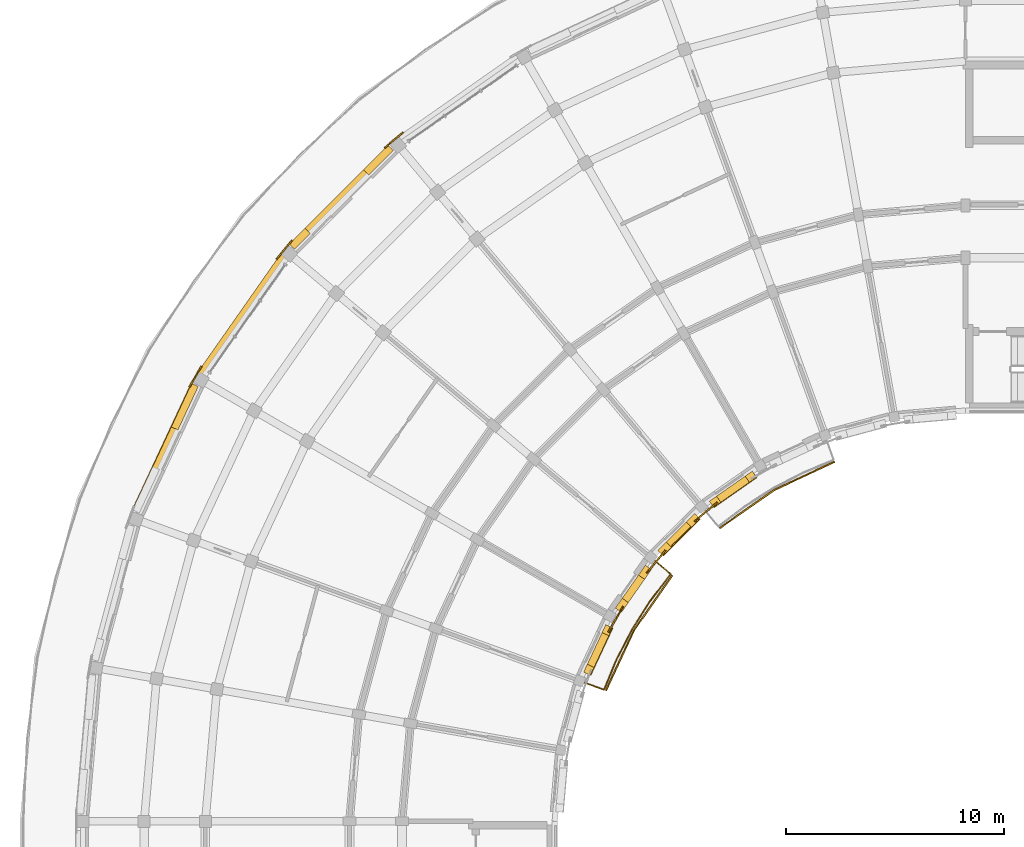
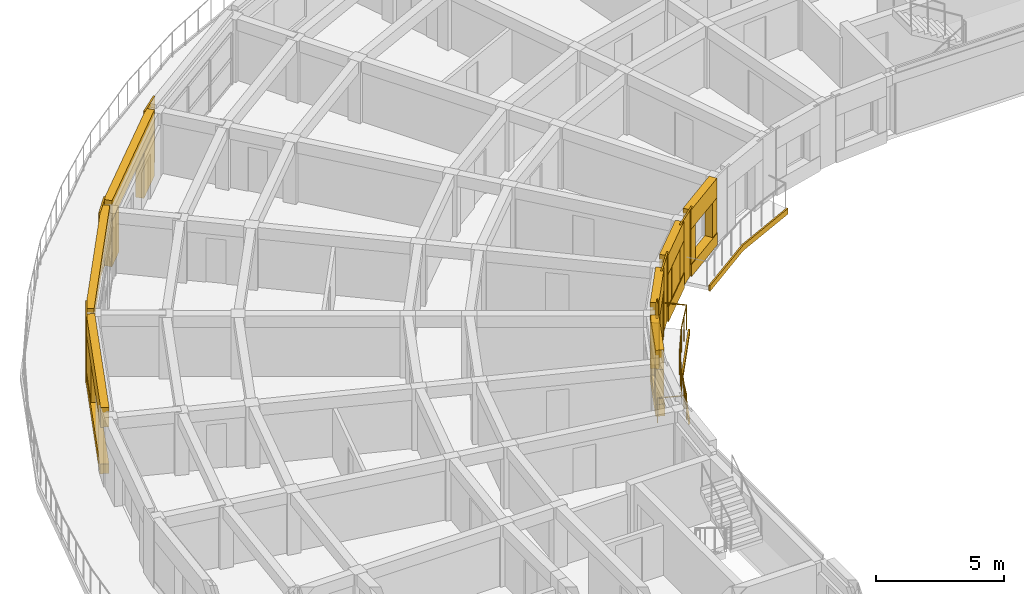
# One storey, part 19 of 23: 30 coverings, 1 railing, 1 shading device.
"""IFC4 building model written with IfcOpenShell, lengths in metres."""

from ifc_helpers import new_model, si_unit, direction, frame, origin, origin_2d, place, context, subcontext, project, spatial, polyline, rectangle, circle, outline, extrude, material, layer, layer_set, type_object, element, save


model = new_model("IFC4")

# Units and contexts
model_context = context("Model", 3, precision=1e-05, world=origin(), true_north=direction((0.0, 1.0)))
body_context = subcontext(model_context, "Body", "Model", "MODEL_VIEW")
ifc_project = project(units=[si_unit("LENGTHUNIT", "METRE"), si_unit("AREAUNIT", "SQUARE_METRE"), si_unit("VOLUMEUNIT", "CUBIC_METRE"), si_unit("PLANEANGLEUNIT", "RADIAN"), si_unit("MASSUNIT", "GRAM", prefix="KILO")], contexts=[model_context])

# Site, building, storey
site_placement = place(None, origin())
site = spatial("IfcSite", under=ifc_project, at=site_placement, CompositionType="ELEMENT")
building_placement = place(site_placement, origin())
building = spatial("IfcBuilding", under=site, at=building_placement, Name="Kiranvali Square Residences", CompositionType="ELEMENT")
storey_placement = place(building_placement, frame((0.0, 0.0, 43.35009765625)))
storey = spatial("IfcBuildingStorey", under=building, at=storey_placement, Name="L13", CompositionType="ELEMENT", Elevation=43.35009765625)

# Coverings
ifc_material_1 = material(Name="Carved Porbandar limestone classical entablature and cornice", Category="masonry")
ifc_layer_1 = layer(ifc_material_1, 0.06201171875)
ifc_layer_set_1 = layer_set([ifc_layer_1], Name="Carved Porbandar limestone classical entablature and cornice")
covering_type_1 = type_object("IfcCoveringType", Name="COV-CLAD-GBAL", PredefinedType="CLADDING", material=ifc_layer_set_1)
covering_1_placement = place(storey_placement, frame((0.0, 0.0, -0.22021484375)))
element("IfcCovering", 1, at=covering_1_placement, inside=storey, type_object=covering_type_1, Name="Block A L13 garden balcony limestone fascia 1", PredefinedType="CLADDING", context=body_context, shape_type="SweptSolid", body=[
    extrude(outline(polyline([(42.1982421875, 104.289794921875), (39.426025390625, 102.9970703125), (36.92041015625, 101.242431640625), (36.964111328125, 101.1904296875), (39.4599609375, 102.938232421875), (42.221435546875, 104.225830078125), (42.1982421875, 104.289794921875)])), origin(), (0.0, 0.0, 1.0), 0.27001953125),
])
covering_2_placement = place(storey_placement, frame((0.0, 0.0, -0.22021484375)))
element("IfcCovering", 2, at=covering_2_placement, inside=storey, type_object=covering_type_1, Name="Block A L13 garden balcony limestone fascia 2", PredefinedType="CLADDING", context=body_context, shape_type="SweptSolid", body=[
    extrude(outline(polyline([(34.757568359375, 99.07958984375), (33.0029296875, 96.573974609375), (31.710205078125, 93.8017578125), (31.774169921875, 93.778564453125), (33.061767578125, 96.5400390625), (34.8095703125, 99.035888671875), (34.757568359375, 99.07958984375)])), origin(), (0.0, 0.0, 1.0), 0.27001953125),
])
ifc_material_2 = material(Name="Honed Porbandar limestone ashlar facade cladding", Category="masonry")
ifc_layer_2 = layer(ifc_material_2, 0.3798828125)
ifc_layer_set_2 = layer_set([ifc_layer_2], Name="Honed Porbandar limestone ashlar facade cladding")
covering_type_2 = type_object("IfcCoveringType", Name="COV-CLAD-JAMB", PredefinedType="CLADDING", material=ifc_layer_set_2)
covering_3_placement = place(storey_placement, origin())
element("IfcCovering", 3, at=covering_3_placement, inside=storey, type_object=covering_type_2, Name="L13 deep limestone window jamb reveal A-L13-CRV-04.L", PredefinedType="CLADDING", context=body_context, shape_type="SweptSolid", body=[
    extrude(outline(polyline([(21.7646484375, 118.75537109375), (20.642333984375, 117.6328125), (20.87890625, 117.396484375), (22.001220703125, 118.518798828125), (21.7646484375, 118.75537109375)])), origin(), (0.0, 0.0, 1.0), 2.179931640625),
])
covering_4_placement = place(storey_placement, origin())
element("IfcCovering", 4, at=covering_4_placement, inside=storey, type_object=covering_type_2, Name="L13 deep limestone window jamb reveal A-L13-CRV-04.R", PredefinedType="CLADDING", context=body_context, shape_type="SweptSolid", body=[
    extrude(outline(polyline([(17.960205078125, 114.950927734375), (17.24462890625, 114.2353515625), (17.481201171875, 113.998779296875), (18.19677734375, 114.71435546875), (17.960205078125, 114.950927734375)])), origin(), (0.0, 0.0, 1.0), 2.179931640625),
])
covering_5_placement = place(storey_placement, frame((0.0, 0.0, 0.4619140625)))
element("IfcCovering", 5, at=covering_5_placement, inside=storey, type_object=covering_type_2, Name="L13 deep limestone window jamb reveal A-L13-CRV-06.L", PredefinedType="CLADDING", context=body_context, shape_type="SweptSolid", body=[
    extrude(outline(polyline([(12.771728515625, 107.846923828125), (11.843505859375, 105.856689453125), (12.146728515625, 105.71533203125), (13.07470703125, 107.70556640625), (12.771728515625, 107.846923828125)])), origin(), (0.0, 0.0, 1.0), 1.75),
])
covering_6_placement = place(storey_placement, frame((0.0, 0.0, 0.572021484375)))
element("IfcCovering", 6, at=covering_6_placement, inside=storey, type_object=covering_type_2, Name="L13 deep limestone window jamb reveal A-L13-GDN-03.L", PredefinedType="CLADDING", context=body_context, shape_type="SweptSolid", body=[
    extrude(outline(polyline([(38.43994140625, 103.828369140625), (38.11328125, 103.599853515625), (38.30810546875, 103.32177734375), (38.634521484375, 103.55029296875), (38.43994140625, 103.828369140625)])), origin(), (0.0, 0.0, 1.0), 1.64990234375),
])
covering_7_placement = place(storey_placement, frame((0.0, 0.0, 0.572021484375)))
element("IfcCovering", 7, at=covering_7_placement, inside=storey, type_object=covering_type_2, Name="L13 deep limestone window jamb reveal A-L13-GDN-03.R", PredefinedType="CLADDING", context=body_context, shape_type="SweptSolid", body=[
    extrude(outline(polyline([(36.802734375, 102.68212890625), (36.476318359375, 102.45361328125), (36.671142578125, 102.175537109375), (36.99755859375, 102.404052734375), (36.802734375, 102.68212890625)])), origin(), (0.0, 0.0, 1.0), 1.64990234375),
])
covering_8_placement = place(storey_placement, frame((0.0, 0.0, 0.721923828125)))
element("IfcCovering", 8, at=covering_8_placement, inside=storey, type_object=covering_type_2, Name="L13 deep limestone window jamb reveal A-L13-GDN-04.L", PredefinedType="CLADDING", context=body_context, shape_type="SweptSolid", body=[
    extrude(outline(polyline([(35.804931640625, 101.89013671875), (35.4169921875, 101.502197265625), (35.656982421875, 101.26220703125), (36.044921875, 101.650146484375), (35.804931640625, 101.89013671875)])), origin(), (0.0, 0.0, 1.0), 1.5),
])
covering_9_placement = place(storey_placement, frame((0.0, 0.0, 0.721923828125)))
element("IfcCovering", 9, at=covering_9_placement, inside=storey, type_object=covering_type_2, Name="L13 deep limestone window jamb reveal A-L13-GDN-04.R", PredefinedType="CLADDING", context=body_context, shape_type="SweptSolid", body=[
    extrude(outline(polyline([(34.497802734375, 100.5830078125), (34.10986328125, 100.195068359375), (34.349853515625, 99.955078125), (34.73779296875, 100.343017578125), (34.497802734375, 100.5830078125)])), origin(), (0.0, 0.0, 1.0), 1.5),
])
covering_10_placement = place(storey_placement, origin())
element("IfcCovering", 10, at=covering_10_placement, inside=storey, type_object=covering_type_2, Name="L13 deep limestone window jamb reveal A-L13-GDN-05.L", PredefinedType="CLADDING", context=body_context, shape_type="SweptSolid", body=[
    extrude(outline(polyline([(33.54638671875, 99.523681640625), (33.231689453125, 99.074462890625), (33.509765625, 98.879638671875), (33.824462890625, 99.328857421875), (33.54638671875, 99.523681640625)])), origin(), (0.0, 0.0, 1.0), 2.179931640625),
])
covering_11_placement = place(storey_placement, origin())
element("IfcCovering", 11, at=covering_11_placement, inside=storey, type_object=covering_type_2, Name="L13 deep limestone window jamb reveal A-L13-GDN-05.R", PredefinedType="CLADDING", context=body_context, shape_type="SweptSolid", body=[
    extrude(outline(polyline([(32.486083984375, 98.009521484375), (32.171630859375, 97.56005859375), (32.44970703125, 97.365478515625), (32.76416015625, 97.814697265625), (32.486083984375, 98.009521484375)])), origin(), (0.0, 0.0, 1.0), 2.179931640625),
])
covering_12_placement = place(storey_placement, frame((0.0, 0.0, 0.572021484375)))
element("IfcCovering", 12, at=covering_12_placement, inside=storey, type_object=covering_type_2, Name="L13 deep limestone window jamb reveal A-L13-GDN-06.L", PredefinedType="CLADDING", context=body_context, shape_type="SweptSolid", body=[
    extrude(outline(polyline([(31.733154296875, 96.801025390625), (31.564697265625, 96.43994140625), (31.87255859375, 96.29638671875), (32.041015625, 96.657470703125), (31.733154296875, 96.801025390625)])), origin(), (0.0, 0.0, 1.0), 1.64990234375),
])
covering_13_placement = place(storey_placement, frame((0.0, 0.0, 0.572021484375)))
element("IfcCovering", 13, at=covering_13_placement, inside=storey, type_object=covering_type_2, Name="L13 deep limestone window jamb reveal A-L13-GDN-06.R", PredefinedType="CLADDING", context=body_context, shape_type="SweptSolid", body=[
    extrude(outline(polyline([(30.888671875, 94.98974609375), (30.72021484375, 94.62841796875), (31.02783203125, 94.485107421875), (31.1962890625, 94.84619140625), (30.888671875, 94.98974609375)])), origin(), (0.0, 0.0, 1.0), 1.64990234375),
])
ifc_layer_3 = layer(ifc_material_2, 0.06494140625)
ifc_layer_set_3 = layer_set([ifc_layer_3], Name="Honed Porbandar limestone ashlar facade cladding")
covering_type_3 = type_object("IfcCoveringType", Name="COV-CLAD-PIER", PredefinedType="CLADDING", material=ifc_layer_set_3)
covering_14_placement = place(storey_placement, frame((0.0, 0.0, 0.0048828125)))
element("IfcCovering", 14, at=covering_14_placement, inside=storey, type_object=covering_type_3, Name="L13 Classical limestone corner pilaster CLAD-PR-A-L13-A04", PredefinedType="CLADDING", context=body_context, shape_type="SweptSolid", body=[
    extrude(outline(polyline([(22.43603515625, 119.36767578125), (21.585693359375, 118.654296875), (21.629150390625, 118.6025390625), (22.4794921875, 119.31591796875), (22.43603515625, 119.36767578125)])), origin(), (0.0, 0.0, 1.0), 3.14013671875),
])
covering_15_placement = place(storey_placement, frame((0.0, 0.0, 0.0048828125)))
element("IfcCovering", 15, at=covering_15_placement, inside=storey, type_object=covering_type_3, Name="L13 Classical limestone corner pilaster CLAD-PR-A-L13-A05", PredefinedType="CLADDING", context=body_context, shape_type="SweptSolid", body=[
    extrude(outline(polyline([(17.345703125, 114.414306640625), (16.63232421875, 113.56396484375), (16.68408203125, 113.5205078125), (17.3974609375, 114.370849609375), (17.345703125, 114.414306640625)])), origin(), (0.0, 0.0, 1.0), 3.14013671875),
])
covering_16_placement = place(storey_placement, frame((0.0, 0.0, 0.0048828125)))
element("IfcCovering", 16, at=covering_16_placement, inside=storey, type_object=covering_type_3, Name="L13 Classical limestone corner pilaster CLAD-PR-A-L13-A06", PredefinedType="CLADDING", context=body_context, shape_type="SweptSolid", body=[
    extrude(outline(polyline([(13.193115234375, 108.652099609375), (12.637939453125, 107.69091796875), (12.696533203125, 107.6572265625), (13.25146484375, 108.618408203125), (13.193115234375, 108.652099609375)])), origin(), (0.0, 0.0, 1.0), 3.14013671875),
])
ifc_layer_4 = layer(ifc_material_2, 0.050048828125)
ifc_layer_set_4 = layer_set([ifc_layer_4], Name="Honed Porbandar limestone ashlar facade cladding")
covering_type_4 = type_object("IfcCoveringType", Name="COV-CLAD-PIER-IN", PredefinedType="CLADDING", material=ifc_layer_set_4)
covering_17_placement = place(storey_placement, frame((0.0, 0.0, 0.0048828125)))
element("IfcCovering", 17, at=covering_17_placement, inside=storey, type_object=covering_type_4, Name="L13 Classical garden courtyard pilaster CLAD-PRIN-A-L13-A04", PredefinedType="CLADDING", context=body_context, shape_type="SweptSolid", body=[
    extrude(outline(polyline([(35.819091796875, 101.5048828125), (36.853271484375, 102.372802734375), (36.809814453125, 102.424560546875), (35.775634765625, 101.556640625), (35.819091796875, 101.5048828125)])), origin(), (0.0, 0.0, 1.0), 3.14013671875),
])
covering_18_placement = place(storey_placement, frame((0.0, 0.0, 0.0048828125)))
element("IfcCovering", 18, at=covering_18_placement, inside=storey, type_object=covering_type_4, Name="L13 Classical garden courtyard pilaster CLAD-PRIN-A-L13-A05", PredefinedType="CLADDING", context=body_context, shape_type="SweptSolid", body=[
    extrude(outline(polyline([(33.627197265625, 99.146728515625), (34.4951171875, 100.180908203125), (34.443359375, 100.224365234375), (33.575439453125, 99.190185546875), (33.627197265625, 99.146728515625)])), origin(), (0.0, 0.0, 1.0), 3.14013671875),
])
covering_19_placement = place(storey_placement, frame((0.0, 0.0, 0.0048828125)))
element("IfcCovering", 19, at=covering_19_placement, inside=storey, type_object=covering_type_4, Name="L13 Classical garden courtyard pilaster CLAD-PRIN-A-L13-A06", PredefinedType="CLADDING", context=body_context, shape_type="SweptSolid", body=[
    extrude(outline(polyline([(31.878173828125, 96.44384765625), (32.55322265625, 97.613037109375), (32.494873046875, 97.646728515625), (31.81982421875, 96.477783203125), (31.878173828125, 96.44384765625)])), origin(), (0.0, 0.0, 1.0), 3.14013671875),
])
ifc_layer_5 = layer(ifc_material_2, 0.360107421875)
ifc_layer_set_5 = layer_set([ifc_layer_5], Name="Honed Porbandar limestone ashlar facade cladding")
covering_type_5 = type_object("IfcCoveringType", Name="COV-CLAD-WALL", PredefinedType="CLADDING", material=ifc_layer_set_5)
covering_20_placement = place(storey_placement, frame((0.0, 0.0, 2.179931640625)))
element("IfcCovering", 20, at=covering_20_placement, inside=storey, type_object=covering_type_5, Name="L13 light limestone spandrel lintel A-L13-CRV-04", PredefinedType="CLADDING", context=body_context, shape_type="SweptSolid", body=[
    extrude(outline(polyline([(21.7646484375, 118.75537109375), (17.24462890625, 114.2353515625), (17.481201171875, 113.998779296875), (22.001220703125, 118.518798828125), (21.7646484375, 118.75537109375)])), origin(), (0.0, 0.0, 1.0), 0.965087890625),
])
covering_21_placement = place(storey_placement, frame((0.0, 0.0, 2.47998046875)))
element("IfcCovering", 21, at=covering_21_placement, inside=storey, type_object=covering_type_5, Name="Block A L13 limestone terrace header 6", PredefinedType="CLADDING", context=body_context, shape_type="SweptSolid", body=[
    extrude(outline(polyline([(16.977294921875, 113.960693359375), (12.938232421875, 108.192138671875), (13.2109375, 108.001220703125), (17.250244140625, 113.769775390625), (16.977294921875, 113.960693359375)])), origin(), (0.0, 0.0, 1.0), 0.6650390625),
])
covering_22_placement = place(storey_placement, frame((0.0, 0.0, 2.2119140625)))
element("IfcCovering", 22, at=covering_22_placement, inside=storey, type_object=covering_type_5, Name="L13 light limestone spandrel lintel A-L13-CRV-06", PredefinedType="CLADDING", context=body_context, shape_type="SweptSolid", body=[
    extrude(outline(polyline([(12.771728515625, 107.846923828125), (10.070068359375, 102.0537109375), (10.373291015625, 101.912353515625), (13.07470703125, 107.70556640625), (12.771728515625, 107.846923828125)])), origin(), (0.0, 0.0, 1.0), 0.93310546875),
])
covering_23_placement = place(storey_placement, frame((0.0, 0.0, 2.221923828125)))
element("IfcCovering", 23, at=covering_23_placement, inside=storey, type_object=covering_type_5, Name="L13 light limestone spandrel lintel A-L13-GDN-03", PredefinedType="CLADDING", context=body_context, shape_type="SweptSolid", body=[
    extrude(outline(polyline([(38.43994140625, 103.828369140625), (36.476318359375, 102.45361328125), (36.671142578125, 102.175537109375), (38.634521484375, 103.55029296875), (38.43994140625, 103.828369140625)])), origin(), (0.0, 0.0, 1.0), 0.923095703125),
])
covering_24_placement = place(storey_placement, frame((0.0, 0.0, 2.221923828125)))
element("IfcCovering", 24, at=covering_24_placement, inside=storey, type_object=covering_type_5, Name="L13 light limestone spandrel lintel A-L13-GDN-04", PredefinedType="CLADDING", context=body_context, shape_type="SweptSolid", body=[
    extrude(outline(polyline([(35.804931640625, 101.89013671875), (34.10986328125, 100.195068359375), (34.349853515625, 99.955078125), (36.044921875, 101.650146484375), (35.804931640625, 101.89013671875)])), origin(), (0.0, 0.0, 1.0), 0.923095703125),
])
covering_25_placement = place(storey_placement, frame((0.0, 0.0, 2.179931640625)))
element("IfcCovering", 25, at=covering_25_placement, inside=storey, type_object=covering_type_5, Name="L13 light limestone spandrel lintel A-L13-GDN-05", PredefinedType="CLADDING", context=body_context, shape_type="SweptSolid", body=[
    extrude(outline(polyline([(33.54638671875, 99.523681640625), (32.171630859375, 97.56005859375), (32.44970703125, 97.365478515625), (33.824462890625, 99.328857421875), (33.54638671875, 99.523681640625)])), origin(), (0.0, 0.0, 1.0), 0.965087890625),
])
covering_26_placement = place(storey_placement, frame((0.0, 0.0, 2.221923828125)))
element("IfcCovering", 26, at=covering_26_placement, inside=storey, type_object=covering_type_5, Name="L13 light limestone spandrel lintel A-L13-GDN-06", PredefinedType="CLADDING", context=body_context, shape_type="SweptSolid", body=[
    extrude(outline(polyline([(31.733154296875, 96.801025390625), (30.72021484375, 94.62841796875), (31.02783203125, 94.485107421875), (32.041015625, 96.657470703125), (31.733154296875, 96.801025390625)])), origin(), (0.0, 0.0, 1.0), 0.923095703125),
])
ifc_layer_6 = layer(ifc_material_2, 0.320068359375)
ifc_layer_set_6 = layer_set([ifc_layer_6], Name="Honed Porbandar limestone ashlar facade cladding")
covering_type_6 = type_object("IfcCoveringType", Name="COV-CLAD-WALL-UP", PredefinedType="CLADDING", material=ifc_layer_set_6)
covering_27_placement = place(storey_placement, frame((0.0, 0.0, 0.0048828125)))
element("IfcCovering", 27, at=covering_27_placement, inside=storey, type_object=covering_type_6, Name="L13 limestone window sill apron A-L13-CRV-06", PredefinedType="CLADDING", context=body_context, shape_type="SweptSolid", body=[
    extrude(outline(polyline([(12.744384765625, 107.859619140625), (10.04296875, 102.06640625), (10.373291015625, 101.912353515625), (13.07470703125, 107.70556640625), (12.744384765625, 107.859619140625)])), origin(), (0.0, 0.0, 1.0), 0.45703125),
])
covering_28_placement = place(storey_placement, frame((0.0, 0.0, 0.0048828125)))
element("IfcCovering", 28, at=covering_28_placement, inside=storey, type_object=covering_type_6, Name="L13 limestone window sill apron A-L13-GDN-03", PredefinedType="CLADDING", context=body_context, shape_type="SweptSolid", body=[
    extrude(outline(polyline([(38.43994140625, 103.828369140625), (36.476318359375, 102.45361328125), (36.688232421875, 102.15087890625), (38.65185546875, 103.52587890625), (38.43994140625, 103.828369140625)])), origin(), (0.0, 0.0, 1.0), 0.567138671875),
])
covering_29_placement = place(storey_placement, frame((0.0, 0.0, 0.0048828125)))
element("IfcCovering", 29, at=covering_29_placement, inside=storey, type_object=covering_type_6, Name="L13 limestone window sill apron A-L13-GDN-04", PredefinedType="CLADDING", context=body_context, shape_type="SweptSolid", body=[
    extrude(outline(polyline([(35.804931640625, 101.89013671875), (34.10986328125, 100.195068359375), (34.37109375, 99.933837890625), (36.066162109375, 101.62890625), (35.804931640625, 101.89013671875)])), origin(), (0.0, 0.0, 1.0), 0.717041015625),
])
covering_30_placement = place(storey_placement, frame((0.0, 0.0, 0.0048828125)))
element("IfcCovering", 30, at=covering_30_placement, inside=storey, type_object=covering_type_6, Name="L13 limestone window sill apron A-L13-GDN-06", PredefinedType="CLADDING", context=body_context, shape_type="SweptSolid", body=[
    extrude(outline(polyline([(31.733154296875, 96.801025390625), (30.72021484375, 94.62841796875), (31.05517578125, 94.472412109375), (32.068115234375, 96.644775390625), (31.733154296875, 96.801025390625)])), origin(), (0.0, 0.0, 1.0), 0.567138671875),
])

# Railing
ifc_material_3 = material(Name="Powder-coated architectural bronze balustrade", Category="steel")
railing_type = type_object("IfcRailingType", Name="RL-BAL-GOLD-1200", PredefinedType="BALUSTRADE", material=ifc_material_3)
railing_placement = place(storey_placement, frame((33.8291015625, 99.858642578125, 0.0)))
element("IfcRailing", 31, at=railing_placement, inside=storey, type_object=railing_type, Name="Block A L13 garden balcony gold balustrade 2", PredefinedType="BALUSTRADE", context=body_context, shape_type="SweptSolid", body=[
    extrude(circle(Radius=0.02392578125, at=origin_2d()), frame((0.0, 0.0, 1.17578125), z_axis=(0.765989188314, -0.642853454051, 0.0), x_axis=(0.642853454051, 0.765989188314, 0.0)), (0.0, 0.0, 1.0), 1.14990234375),
    extrude(circle(Radius=0.02392578125, at=origin_2d()), frame((0.880859375, -0.7392578125, 1.17578125), z_axis=(-0.608811807471, -0.793314680996, 0.0), x_axis=(0.793314680996, -0.608811807471, 0.0)), (0.0, 0.0, 1.0), 1.536376953125),
    extrude(circle(Radius=0.02392578125, at=origin_2d()), frame((-0.054443359375, -1.9580078125, 1.17578125), z_axis=(-0.537307309343, -0.843386539688, 0.0), x_axis=(0.843386539688, -0.537307309343, 0.0)), (0.0, 0.0, 1.0), 1.5361328125),
    extrude(circle(Radius=0.02392578125, at=origin_2d()), frame((-0.8798828125, -3.253662109375, 1.17578125), z_axis=(-0.461713009976, -0.887029366154, 0.0), x_axis=(0.887029366154, -0.461713009976, 0.0)), (0.0, 0.0, 1.0), 1.5361328125),
    extrude(circle(Radius=0.02392578125, at=origin_2d()), frame((-1.589111328125, -4.6162109375, 1.17578125), z_axis=(-0.382651197843, -0.923892883829, 0.0), x_axis=(0.923892883829, -0.382651197843, 0.0)), (0.0, 0.0, 1.0), 1.536376953125),
    extrude(circle(Radius=0.02392578125, at=origin_2d()), frame((-2.177001953125, -6.03564453125, 1.17578125), z_axis=(-0.939712828289, 0.341964618562, 0.0), x_axis=(-0.341964618562, -0.939712828289, 0.0)), (0.0, 0.0, 1.0), 1.150146484375),
    extrude(circle(Radius=0.02099609375, at=origin_2d()), origin(), (0.0, 0.0, 1.0), 1.15185546875),
    extrude(circle(Radius=0.02099609375, at=origin_2d()), frame((0.880859375, -0.7392578125, 0.0)), (0.0, 0.0, 1.0), 1.15185546875),
    extrude(circle(Radius=0.02099609375, at=origin_2d()), frame((0.4130859375, -1.3486328125, 0.0)), (0.0, 0.0, 1.0), 1.15185546875),
    extrude(circle(Radius=0.02099609375, at=origin_2d()), frame((-0.054443359375, -1.9580078125, 0.0)), (0.0, 0.0, 1.0), 1.15185546875),
    extrude(circle(Radius=0.02099609375, at=origin_2d()), frame((-0.46728515625, -2.60595703125, 0.0)), (0.0, 0.0, 1.0), 1.15185546875),
    extrude(circle(Radius=0.02099609375, at=origin_2d()), frame((-0.8798828125, -3.253662109375, 0.0)), (0.0, 0.0, 1.0), 1.15185546875),
    extrude(circle(Radius=0.02099609375, at=origin_2d()), frame((-1.234375, -3.93505859375, 0.0)), (0.0, 0.0, 1.0), 1.15185546875),
    extrude(circle(Radius=0.02099609375, at=origin_2d()), frame((-1.589111328125, -4.6162109375, 0.0)), (0.0, 0.0, 1.0), 1.15185546875),
    extrude(circle(Radius=0.02099609375, at=origin_2d()), frame((-1.883056640625, -5.325927734375, 0.0)), (0.0, 0.0, 1.0), 1.15185546875),
    extrude(circle(Radius=0.02099609375, at=origin_2d()), frame((-2.177001953125, -6.03564453125, 0.0)), (0.0, 0.0, 1.0), 1.15185546875),
    extrude(circle(Radius=0.02099609375, at=origin_2d()), frame((-3.2578125, -5.642333984375, 0.0)), (0.0, 0.0, 1.0), 1.15185546875),
])

# Shading device
ifc_material_4 = material(Name="Pierced buff sandstone architectural mashrabiya solar screen", Category="masonry")
shading_device_type = type_object("IfcShadingDeviceType", Name="SHD-JALI-1600", PredefinedType="JALOUSIE", material=ifc_material_4)
shading_device_placement = place(storey_placement, frame((35.183349609375, 100.816650390625, 0.721923828125), z_axis=(0.0, 0.0, 1.0), x_axis=(-0.707106781187, -0.707106781187, 0.0)))
element("IfcShadingDevice", 32, at=shading_device_placement, inside=storey, type_object=shading_device_type, Name="L13 carved stone Mashrabiya screen A-L13-GDN-04", PredefinedType="JALOUSIE", context=body_context, shape_type="SweptSolid", body=[
    extrude(rectangle(XDim=1.199951171875, YDim=0.044921875, at=origin_2d()), origin(), (0.0, 0.0, 1.0), 1.5),
])

save(model, "model.ifc")
